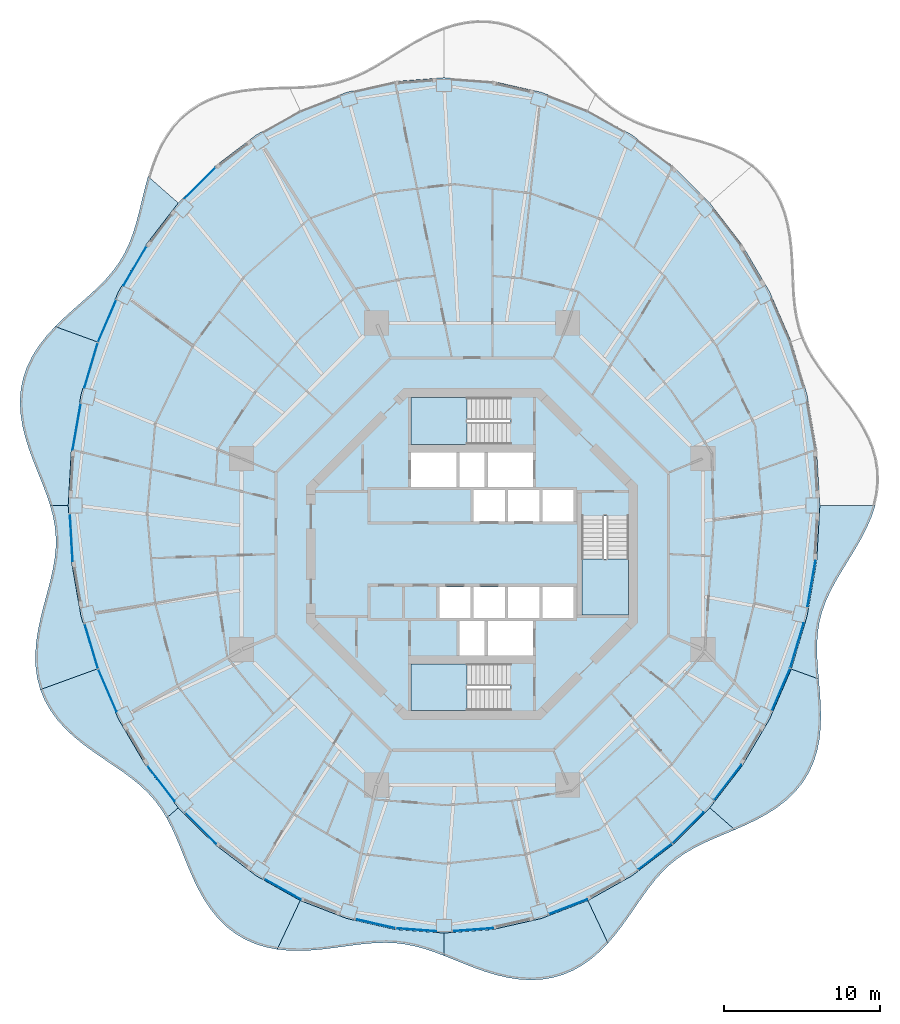
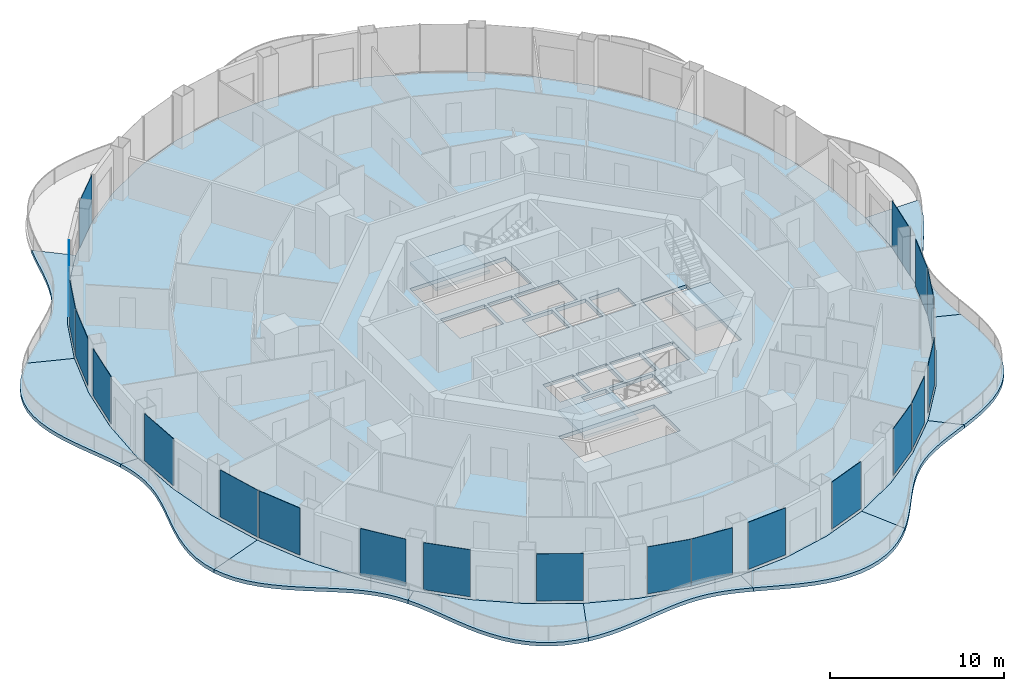
# One storey, part 8 of 18: 21 plates, 14 slabs, 24 elements without a shape of their own.
"""IFC4 building model written with IfcOpenShell, lengths in metres."""

from ifc_helpers import new_model, si_unit, direction, frame, origin, origin_2d, place, context, subcontext, project, spatial, polyline, rectangle, outline, extrude, material, layer, layer_set, type_object, element, aggregate, save


model = new_model("IFC4")

# Units and contexts
model_context = context("Model", 3, precision=1e-05, world=origin(), true_north=direction((0.0, 1.0)))
body_context = subcontext(model_context, "Body", "Model", "MODEL_VIEW")
ifc_project = project(units=[si_unit("LENGTHUNIT", "METRE"), si_unit("AREAUNIT", "SQUARE_METRE"), si_unit("VOLUMEUNIT", "CUBIC_METRE"), si_unit("PLANEANGLEUNIT", "RADIAN"), si_unit("MASSUNIT", "GRAM", prefix="KILO")], contexts=[model_context])

# Site, building, storey
site_placement = place(None, origin())
site = spatial("IfcSite", under=ifc_project, at=site_placement, CompositionType="ELEMENT")
building_placement = place(site_placement, origin())
building = spatial("IfcBuilding", under=site, at=building_placement, Name="Nagisa Residences", CompositionType="ELEMENT")
storey_placement = place(building_placement, frame((0.0, 0.0, 238.10009765625)))
storey = spatial("IfcBuildingStorey", under=building, at=storey_placement, Name="L60", CompositionType="ELEMENT", Elevation=238.10009765625)

# Slabs
ifc_material_1 = material(Name="Concrete C40/50", Category="concrete")
ifc_layer_1 = layer(ifc_material_1, 0.25)
ifc_layer_set_1 = layer_set([ifc_layer_1], Name="BALCONY SLAB 250")
slab_type_1 = type_object("IfcSlabType", Name="BALCONY SLAB 250", PredefinedType="FLOOR", material=ifc_layer_set_1)
slab_1_placement = place(storey_placement, frame((0.0, 0.0, -0.25)))
element("IfcSlab", 1, at=slab_1_placement, inside=storey, type_object=slab_type_1, Name="slab:L60:bal06", PredefinedType="FLOOR", context=body_context, shape_type="SweptSolid", body=[
    extrude(outline(polyline([(-20.75390625, 24.184814453125), (-20.957275390625, 23.42724609375), (-21.140625, 22.67578125), (-21.318603515625, 21.940185546875), (-21.50537109375, 21.2294921875), (-21.714599609375, 20.5498046875), (-21.957763671875, 19.904296875), (-22.244384765625, 19.294189453125), (-22.581298828125, 18.717529296875), (-22.97119140625, 18.170654296875), (-23.413330078125, 17.647216796875), (-23.90380859375, 17.140380859375), (-24.43408203125, 16.641845703125), (-24.99365234375, 16.143310546875), (-25.56884765625, 15.63623046875), (-26.143798828125, 15.11376953125), (-26.702392578125, 14.5693359375), (-24.037841796875, 13.599365234375), (-22.645263671875, 16.812744140625), (-20.89599609375, 19.791748046875), (-18.820068359375, 22.4853515625), (-20.75390625, 24.184814453125)])), origin(), (0.0, 0.0, 1.0), 0.25),
])
slab_2_placement = place(storey_placement, frame((0.0, 0.0, -0.25)))
element("IfcSlab", 2, at=slab_2_placement, inside=storey, type_object=slab_type_1, Name="slab:L60:bal07", PredefinedType="FLOOR", context=body_context, shape_type="SweptSolid", body=[
    extrude(outline(polyline([(-26.702392578125, 14.5693359375), (-27.24365234375, 13.979736328125), (-27.732177734375, 13.358642578125), (-28.15234375, 12.705322265625), (-28.49169921875, 12.020751953125), (-28.740966796875, 11.3076171875), (-28.8955078125, 10.571044921875), (-28.954833984375, 9.816162109375), (-28.923095703125, 9.0498046875), (-28.808837890625, 8.2783203125), (-28.62451171875, 7.5078125), (-28.3857421875, 6.743896484375), (-28.1103515625, 5.99072265625), (-27.817626953125, 5.251220703125), (-27.526611328125, 4.5263671875), (-27.256103515625, 3.81591796875), (-27.02197265625, 3.11767578125), (-25.8701171875, 3.11767578125), (-25.6640625, 6.69287109375), (-25.0498046875, 10.206787109375), (-24.037841796875, 13.599365234375), (-26.702392578125, 14.5693359375)])), origin(), (0.0, 0.0, 1.0), 0.25),
])
slab_3_placement = place(storey_placement, frame((0.0, 0.0, -0.25)))
element("IfcSlab", 3, at=slab_3_placement, inside=storey, type_object=slab_type_1, Name="slab:L60:bal08", PredefinedType="FLOOR", context=body_context, shape_type="SweptSolid", body=[
    extrude(outline(polyline([(-27.02197265625, 3.11767578125), (-26.838134765625, 2.428466796875), (-26.71435546875, 1.743896484375), (-26.656005859375, 1.05908203125), (-26.6640625, 0.369140625), (-26.734619140625, -0.33056640625), (-26.85986328125, -1.04345703125), (-27.027587890625, -1.7724609375), (-27.22265625, -2.5185546875), (-27.42724609375, -3.28076171875), (-27.623046875, -4.056640625), (-27.79052734375, -4.842041015625), (-27.91162109375, -5.631103515625), (-27.969970703125, -6.4169921875), (-27.952392578125, -7.1923828125), (-27.848876953125, -7.94921875), (-27.65380859375, -8.68017578125), (-24.037841796875, -7.364013671875), (-25.0498046875, -3.971435546875), (-25.6640625, -0.45751953125), (-25.8701171875, 3.11767578125), (-27.02197265625, 3.11767578125)])), origin(), (0.0, 0.0, 1.0), 0.25),
])
slab_4_placement = place(storey_placement, frame((0.0, 0.0, -0.25)))
element("IfcSlab", 4, at=slab_4_placement, inside=storey, type_object=slab_type_1, Name="slab:L60:bal09", PredefinedType="FLOOR", context=body_context, shape_type="SweptSolid", body=[
    extrude(outline(polyline([(-27.65380859375, -8.68017578125), (-27.3759765625, -9.357666015625), (-27.013916015625, -10.000244140625), (-26.57373046875, -10.6044921875), (-26.0654296875, -11.169921875), (-25.50146484375, -11.697021484375), (-24.896728515625, -12.189697265625), (-24.2666015625, -12.65283203125), (-23.627197265625, -13.093505859375), (-22.993896484375, -13.5205078125), (-22.38037109375, -13.943359375), (-21.798583984375, -14.371826171875), (-21.257568359375, -14.816162109375), (-20.7626953125, -15.28466796875), (-20.31640625, -15.78515625), (-19.91748046875, -16.322998046875), (-19.560791015625, -16.90087890625), (-18.820068359375, -16.25), (-20.89599609375, -13.556396484375), (-22.645263671875, -10.577392578125), (-24.037841796875, -7.364013671875), (-27.65380859375, -8.68017578125)])), origin(), (0.0, 0.0, 1.0), 0.25),
])
slab_5_placement = place(storey_placement, frame((0.0, 0.0, -0.25)))
element("IfcSlab", 5, at=slab_5_placement, inside=storey, type_object=slab_type_1, Name="slab:L60:bal10", PredefinedType="FLOOR", context=body_context, shape_type="SweptSolid", body=[
    extrude(outline(polyline([(-19.560791015625, -16.90087890625), (-19.253662109375, -17.489501953125), (-18.969482421875, -18.112060546875), (-18.697998046875, -18.763916015625), (-18.428466796875, -19.437744140625), (-18.149169921875, -20.124267578125), (-17.849365234375, -20.8125), (-17.51904296875, -21.490234375), (-17.149658203125, -22.144775390625), (-16.734619140625, -22.763671875), (-16.26953125, -23.334228515625), (-15.752685546875, -23.846435546875), (-15.1845703125, -24.291259765625), (-14.568115234375, -24.66259765625), (-13.907958984375, -24.956787109375), (-13.211181640625, -25.17333984375), (-12.485595703125, -25.3154296875), (-11.01123046875, -22.187255859375), (-13.8349609375, -20.602783203125), (-16.452880859375, -18.6123046875), (-18.820068359375, -16.25), (-19.560791015625, -16.90087890625)])), origin(), (0.0, 0.0, 1.0), 0.25),
])
slab_6_placement = place(storey_placement, frame((0.0, 0.0, -0.25)))
element("IfcSlab", 6, at=slab_6_placement, inside=storey, type_object=slab_type_1, Name="slab:L60:bal11", PredefinedType="FLOOR", context=body_context, shape_type="SweptSolid", body=[
    extrude(outline(polyline([(-12.485595703125, -25.3154296875), (-11.76708984375, -25.386962890625), (-11.037841796875, -25.40234375), (-10.305419921875, -25.371337890625), (-9.576904296875, -25.305419921875), (-8.85791015625, -25.21728515625), (-8.1533203125, -25.1201171875), (-7.465576171875, -25.027099609375), (-6.796142578125, -24.9501953125), (-6.14453125, -24.900390625), (-5.509033203125, -24.886474609375), (-4.885986328125, -24.9150390625), (-4.271240234375, -24.98974609375), (-3.660400390625, -25.111328125), (-3.048095703125, -25.27734375), (-2.42919921875, -25.48291015625), (-1.800048828125, -25.719482421875), (-1.800048828125, -24.272216796875), (-4.941650390625, -24.0380859375), (-8.02978515625, -23.339111328125), (-11.01123046875, -22.187255859375), (-12.485595703125, -25.3154296875)])), origin(), (0.0, 0.0, 1.0), 0.25),
])
slab_7_placement = place(storey_placement, frame((0.0, 0.0, -0.25)))
element("IfcSlab", 7, at=slab_7_placement, inside=storey, type_object=slab_type_1, Name="slab:L60:bal12", PredefinedType="FLOOR", context=body_context, shape_type="SweptSolid", body=[
    extrude(outline(polyline([(-1.800048828125, -25.719482421875), (-1.15673828125, -25.977294921875), (-0.49755859375, -26.243896484375), (0.17822265625, -26.505859375), (0.869873046875, -26.749267578125), (1.574951171875, -26.96044921875), (2.289306640625, -27.126220703125), (3.00830078125, -27.234619140625), (3.7255859375, -27.2763671875), (4.434814453125, -27.24365234375), (5.12939453125, -27.132080078125), (5.802734375, -26.940185546875), (6.448974609375, -26.6689453125), (7.064208984375, -26.322998046875), (7.64453125, -25.9091796875), (8.188720703125, -25.4365234375), (8.697265625, -24.916015625), (7.4111328125, -22.187255859375), (4.4296875, -23.339111328125), (1.341796875, -24.0380859375), (-1.800048828125, -24.272216796875), (-1.800048828125, -25.719482421875)])), origin(), (0.0, 0.0, 1.0), 0.25),
])
slab_8_placement = place(storey_placement, frame((0.0, 0.0, -0.25)))
element("IfcSlab", 8, at=slab_8_placement, inside=storey, type_object=slab_type_1, Name="slab:L60:bal13", PredefinedType="FLOOR", context=body_context, shape_type="SweptSolid", body=[
    extrude(outline(polyline([(8.697265625, -24.916015625), (9.189453125, -24.33837890625), (9.64990234375, -23.737060546875), (10.0849609375, -23.126220703125), (10.50244140625, -22.51953125), (10.9111328125, -21.929443359375), (11.320556640625, -21.3662109375), (11.739990234375, -20.838134765625), (12.17822265625, -20.3505859375), (12.642822265625, -19.905517578125), (13.13916015625, -19.5029296875), (13.671142578125, -19.1396484375), (14.239990234375, -18.809814453125), (14.843994140625, -18.505859375), (15.479736328125, -18.21875), (16.14013671875, -17.93798828125), (16.816650390625, -17.653076171875), (15.219970703125, -16.25), (12.852783203125, -18.6123046875), (10.235107421875, -20.602783203125), (7.4111328125, -22.187255859375), (8.697265625, -24.916015625)])), origin(), (0.0, 0.0, 1.0), 0.25),
])
slab_9_placement = place(storey_placement, frame((0.0, 0.0, -0.25)))
element("IfcSlab", 9, at=slab_9_placement, inside=storey, type_object=slab_type_1, Name="slab:L60:bal14", PredefinedType="FLOOR", context=body_context, shape_type="SweptSolid", body=[
    extrude(outline(polyline([(16.816650390625, -17.653076171875), (17.5322265625, -17.33837890625), (18.240234375, -16.996337890625), (18.926025390625, -16.61767578125), (19.5751953125, -16.1943359375), (20.173828125, -15.72119140625), (20.710205078125, -15.19580078125), (21.1748046875, -14.617919921875), (21.56103515625, -13.989990234375), (21.865478515625, -13.316650390625), (22.0888671875, -12.60498046875), (22.235595703125, -11.86279296875), (22.3134765625, -11.0986328125), (22.333251953125, -10.322265625), (22.308837890625, -9.5419921875), (22.25537109375, -8.76611328125), (22.189697265625, -8.001708984375), (20.437744140625, -7.364013671875), (19.045166015625, -10.577392578125), (17.2958984375, -13.556396484375), (15.219970703125, -16.25), (16.816650390625, -17.653076171875)])), origin(), (0.0, 0.0, 1.0), 0.25),
])
slab_10_placement = place(storey_placement, frame((0.0, 0.0, -0.25)))
element("IfcSlab", 10, at=slab_10_placement, inside=storey, type_object=slab_type_1, Name="slab:L60:bal15", PredefinedType="FLOOR", context=body_context, shape_type="SweptSolid", body=[
    extrude(outline(polyline([(22.189697265625, -8.001708984375), (22.12646484375, -7.23046875), (22.08544921875, -6.480712890625), (22.08154296875, -5.754150390625), (22.1279296875, -5.050537109375), (22.233154296875, -4.367431640625), (22.402587890625, -3.701171875), (22.636474609375, -3.046630859375), (22.93017578125, -2.39794921875), (23.275634765625, -1.74951171875), (23.660400390625, -1.095458984375), (24.06884765625, -0.43115234375), (24.48291015625, 0.246826171875), (24.883544921875, 0.941162109375), (25.251708984375, 1.652099609375), (25.568603515625, 2.37841796875), (25.81787109375, 3.11767578125), (22.27001953125, 3.11767578125), (22.06396484375, -0.45751953125), (21.449951171875, -3.971435546875), (20.437744140625, -7.364013671875), (22.189697265625, -8.001708984375)])), origin(), (0.0, 0.0, 1.0), 0.25),
])

# Curtain wall, plate
ifc_material_2 = material(Name="Concrete-coloured aluminium curtain wall system", Category="concrete")
ifc_layer_2 = layer(ifc_material_2, 0.159912109375)
ifc_layer_set_2 = layer_set([ifc_layer_2], Name="CW1 CURTAIN WALL")
curtain_wall_type = type_object("IfcCurtainWallType", Name="CW1 CURTAIN WALL", PredefinedType="NOTDEFINED", material=ifc_layer_set_2)
curtain_wall_1_placement = place(storey_placement, origin())
curtain_wall_1 = element("IfcCurtainWall", 11, at=curtain_wall_1_placement, inside=storey, type_object=curtain_wall_type, Name="cw:CW1:L60:17", PredefinedType="NOTDEFINED")
ifc_material_3 = material(Name="Clear laminated glass", Category="glass")
ifc_layer_3 = layer(ifc_material_3, 0.028076171875)
ifc_layer_set_3 = layer_set([ifc_layer_3], Name="CW1 GLASS PANEL")
plate_type = type_object("IfcPlateType", Name="CW1 GLASS PANEL", PredefinedType="CURTAIN_PANEL", material=ifc_layer_set_3)
plate_1_placement = place(storey_placement, frame((-17.42431640625, 23.765380859375, 0.14990234375), z_axis=(0.0, 0.0, 1.0), x_axis=(-0.707835924016, -0.706376885714, 0.0)))
plate_1 = element("IfcPlate", 12, at=plate_1_placement, type_object=plate_type, Name="CW1 panel", PredefinedType="CURTAIN_PANEL", context=body_context, shape_type="SweptSolid", body=[
    extrude(rectangle(XDim=2.7841796875, YDim=0.028076171875, at=origin_2d()), origin(), (0.0, 0.0, 1.0), 3.2900390625),
])
aggregate(curtain_wall_1, [plate_1])

curtain_wall_2_placement = place(storey_placement, origin())
curtain_wall_2 = element("IfcCurtainWall", 13, at=curtain_wall_2_placement, inside=storey, type_object=curtain_wall_type, Name="cw:CW1:L60:19", PredefinedType="NOTDEFINED")
plate_2_placement = place(storey_placement, frame((-21.59033203125, 18.451416015625, 0.14990234375), z_axis=(0.0, 0.0, 1.0), x_axis=(-0.506348567002, -0.862328898214, 0.0)))
plate_2 = element("IfcPlate", 14, at=plate_2_placement, type_object=plate_type, Name="CW1 panel", PredefinedType="CURTAIN_PANEL", context=body_context, shape_type="SweptSolid", body=[
    extrude(rectangle(XDim=2.89453125, YDim=0.028076171875, at=origin_2d()), origin(), (0.0, 0.0, 1.0), 3.2900390625),
])
aggregate(curtain_wall_2, [plate_2])

curtain_wall_3_placement = place(storey_placement, origin())
curtain_wall_3 = element("IfcCurtainWall", 15, at=curtain_wall_3_placement, inside=storey, type_object=curtain_wall_type, Name="cw:CW1:L60:20", PredefinedType="NOTDEFINED")
plate_3_placement = place(storey_placement, frame((-23.37939453125, 14.917236328125, 0.14990234375), z_axis=(0.0, 0.0, 1.0), x_axis=(-0.397635934147, -0.917543276295, 0.0)))
plate_3 = element("IfcPlate", 16, at=plate_3_placement, type_object=plate_type, Name="CW1 panel", PredefinedType="CURTAIN_PANEL", context=body_context, shape_type="SweptSolid", body=[
    extrude(rectangle(XDim=2.942138671875, YDim=0.028076171875, at=origin_2d()), origin(), (0.0, 0.0, 1.0), 3.2900390625),
])
aggregate(curtain_wall_3, [plate_3])

curtain_wall_4_placement = place(storey_placement, origin())
curtain_wall_4 = element("IfcCurtainWall", 17, at=curtain_wall_4_placement, inside=storey, type_object=curtain_wall_type, Name="cw:CW1:L60:21", PredefinedType="NOTDEFINED")
plate_4_placement = place(storey_placement, frame((-24.404296875, 12.091064453125, 0.14990234375), z_axis=(0.0, 0.0, 1.0), x_axis=(-0.285860274038, -0.958271310082, 0.0)))
plate_4 = element("IfcPlate", 18, at=plate_4_placement, type_object=plate_type, Name="CW1 panel", PredefinedType="CURTAIN_PANEL", context=body_context, shape_type="SweptSolid", body=[
    extrude(rectangle(XDim=2.98046875, YDim=0.028076171875, at=origin_2d()), origin(), (0.0, 0.0, 1.0), 3.2900390625),
])
aggregate(curtain_wall_4, [plate_4])

curtain_wall_5_placement = place(storey_placement, origin())
curtain_wall_5 = element("IfcCurtainWall", 19, at=curtain_wall_5_placement, inside=storey, type_object=curtain_wall_type, Name="cw:CW1:L60:22", PredefinedType="NOTDEFINED")
plate_5_placement = place(storey_placement, frame((-25.326416015625, 8.16015625, 0.14990234375), z_axis=(0.0, 0.0, 1.0), x_axis=(-0.172190868898, -0.985063604377, 0.0)))
plate_5 = element("IfcPlate", 20, at=plate_5_placement, type_object=plate_type, Name="CW1 panel", PredefinedType="CURTAIN_PANEL", context=body_context, shape_type="SweptSolid", body=[
    extrude(rectangle(XDim=3.00732421875, YDim=0.028076171875, at=origin_2d()), origin(), (0.0, 0.0, 1.0), 3.2900390625),
])
aggregate(curtain_wall_5, [plate_5])

curtain_wall_6_placement = place(storey_placement, origin())
curtain_wall_6 = element("IfcCurtainWall", 21, at=curtain_wall_6_placement, inside=storey, type_object=curtain_wall_type, Name="cw:CW1:L60:24", PredefinedType="NOTDEFINED")
plate_6_placement = place(storey_placement, frame((-25.671142578125, 1.05517578125, 0.14990234375), z_axis=(0.0, 0.0, 1.0), x_axis=(0.057503492216, -0.998345305184, 0.0)))
plate_6 = element("IfcPlate", 22, at=plate_6_placement, type_object=plate_type, Name="CW1 panel", PredefinedType="CURTAIN_PANEL", context=body_context, shape_type="SweptSolid", body=[
    extrude(rectangle(XDim=3.02099609375, YDim=0.028076171875, at=origin_2d()), origin(), (0.0, 0.0, 1.0), 3.2900390625),
])
aggregate(curtain_wall_6, [plate_6])

curtain_wall_7_placement = place(storey_placement, origin())
curtain_wall_7 = element("IfcCurtainWall", 23, at=curtain_wall_7_placement, inside=storey, type_object=curtain_wall_type, Name="cw:CW1:L60:26", PredefinedType="NOTDEFINED")
plate_7_placement = place(storey_placement, frame((-24.38720703125, -5.9130859375, 0.14990234375), z_axis=(0.0, 0.0, 1.0), x_axis=(0.285860274038, -0.958271310082, 0.0)))
plate_7 = element("IfcPlate", 24, at=plate_7_placement, type_object=plate_type, Name="CW1 panel", PredefinedType="CURTAIN_PANEL", context=body_context, shape_type="SweptSolid", body=[
    extrude(rectangle(XDim=2.98046875, YDim=0.028076171875, at=origin_2d()), origin(), (0.0, 0.0, 1.0), 3.2900390625),
])
aggregate(curtain_wall_7, [plate_7])

curtain_wall_8_placement = place(storey_placement, origin())
curtain_wall_8 = element("IfcCurtainWall", 25, at=curtain_wall_8_placement, inside=storey, type_object=curtain_wall_type, Name="cw:CW1:L60:27", PredefinedType="NOTDEFINED")
plate_8_placement = place(storey_placement, frame((-23.35546875, -8.737060546875, 0.14990234375), z_axis=(0.0, 0.0, 1.0), x_axis=(0.397635934147, -0.917543276295, 0.0)))
plate_8 = element("IfcPlate", 26, at=plate_8_placement, type_object=plate_type, Name="CW1 panel", PredefinedType="CURTAIN_PANEL", context=body_context, shape_type="SweptSolid", body=[
    extrude(rectangle(XDim=2.942138671875, YDim=0.028076171875, at=origin_2d()), origin(), (0.0, 0.0, 1.0), 3.2900390625),
])
aggregate(curtain_wall_8, [plate_8])

curtain_wall_9_placement = place(storey_placement, origin())
curtain_wall_9 = element("IfcCurtainWall", 27, at=curtain_wall_9_placement, inside=storey, type_object=curtain_wall_type, Name="cw:CW1:L60:29", PredefinedType="NOTDEFINED")
plate_9_placement = place(storey_placement, frame((-19.928955078125, -14.679931640625, 0.14990234375), z_axis=(0.0, 0.0, 1.0), x_axis=(0.610429828235, -0.792070340816, 0.0)))
plate_9 = element("IfcPlate", 28, at=plate_9_placement, type_object=plate_type, Name="CW1 panel", PredefinedType="CURTAIN_PANEL", context=body_context, shape_type="SweptSolid", body=[
    extrude(rectangle(XDim=2.8408203125, YDim=0.028076171875, at=origin_2d()), origin(), (0.0, 0.0, 1.0), 3.2900390625),
])
aggregate(curtain_wall_9, [plate_9])

curtain_wall_10_placement = place(storey_placement, origin())
curtain_wall_10 = element("IfcCurtainWall", 29, at=curtain_wall_10_placement, inside=storey, type_object=curtain_wall_type, Name="cw:CW1:L60:30", PredefinedType="NOTDEFINED")
plate_10_placement = place(storey_placement, frame((-17.3818359375, -17.572265625, 0.14990234375), z_axis=(0.0, 0.0, 1.0), x_axis=(0.707835924016, -0.706376885714, 0.0)))
plate_10 = element("IfcPlate", 30, at=plate_10_placement, type_object=plate_type, Name="CW1 panel", PredefinedType="CURTAIN_PANEL", context=body_context, shape_type="SweptSolid", body=[
    extrude(rectangle(XDim=2.7841796875, YDim=0.028076171875, at=origin_2d()), origin(), (0.0, 0.0, 1.0), 3.2900390625),
])
aggregate(curtain_wall_10, [plate_10])

curtain_wall_11_placement = place(storey_placement, origin())
curtain_wall_11 = element("IfcCurtainWall", 31, at=curtain_wall_11_placement, inside=storey, type_object=curtain_wall_type, Name="cw:CW1:L60:32", PredefinedType="NOTDEFINED")
plate_11_placement = place(storey_placement, frame((-12.1396484375, -21.46240234375, 0.14990234375), z_axis=(0.0, 0.0, 1.0), x_axis=(0.872072377523, -0.489376918501, 0.0)))
plate_11 = element("IfcPlate", 32, at=plate_11_placement, type_object=plate_type, Name="CW1 panel", PredefinedType="CURTAIN_PANEL", context=body_context, shape_type="SweptSolid", body=[
    extrude(rectangle(XDim=2.677978515625, YDim=0.028076171875, at=origin_2d()), origin(), (0.0, 0.0, 1.0), 3.2900390625),
])
aggregate(curtain_wall_11, [plate_11])

curtain_wall_12_placement = place(storey_placement, origin())
curtain_wall_12 = element("IfcCurtainWall", 33, at=curtain_wall_12_placement, inside=storey, type_object=curtain_wall_type, Name="cw:CW1:L60:34", PredefinedType="NOTDEFINED")
plate_12_placement = place(storey_placement, frame((-6.195068359375, -23.67236328125, 0.14990234375), z_axis=(0.0, 0.0, 1.0), x_axis=(0.975327274089, -0.2207639201, 0.0)))
plate_12 = element("IfcPlate", 34, at=plate_12_placement, type_object=plate_type, Name="CW1 panel", PredefinedType="CURTAIN_PANEL", context=body_context, shape_type="SweptSolid", body=[
    extrude(rectangle(XDim=2.606201171875, YDim=0.028076171875, at=origin_2d()), origin(), (0.0, 0.0, 1.0), 3.2900390625),
])
aggregate(curtain_wall_12, [plate_12])

curtain_wall_13_placement = place(storey_placement, origin())
curtain_wall_13 = element("IfcCurtainWall", 35, at=curtain_wall_13_placement, inside=storey, type_object=curtain_wall_type, Name="cw:CW1:L60:35", PredefinedType="NOTDEFINED")
plate_13_placement = place(storey_placement, frame((-3.584228515625, -24.05908203125, 0.14990234375), z_axis=(0.0, 0.0, 1.0), x_axis=(0.997230168512, -0.074377355493, 0.0)))
plate_13 = element("IfcPlate", 36, at=plate_13_placement, type_object=plate_type, Name="CW1 panel", PredefinedType="CURTAIN_PANEL", context=body_context, shape_type="SweptSolid", body=[
    extrude(rectangle(XDim=2.590576171875, YDim=0.028076171875, at=origin_2d()), origin(), (0.0, 0.0, 1.0), 3.2900390625),
])
aggregate(curtain_wall_13, [plate_13])

curtain_wall_14_placement = place(storey_placement, origin())
curtain_wall_14 = element("IfcCurtainWall", 37, at=curtain_wall_14_placement, inside=storey, type_object=curtain_wall_type, Name="cw:CW1:L60:36", PredefinedType="NOTDEFINED")
plate_14_placement = place(storey_placement, frame((0.044189453125, -24.054443359375, 0.14990234375), z_axis=(0.0, 0.0, 1.0), x_axis=(0.997230168512, 0.074377355493, 0.0)))
plate_14 = element("IfcPlate", 38, at=plate_14_placement, type_object=plate_type, Name="CW1 panel", PredefinedType="CURTAIN_PANEL", context=body_context, shape_type="SweptSolid", body=[
    extrude(rectangle(XDim=2.590576171875, YDim=0.028076171875, at=origin_2d()), origin(), (0.0, 0.0, 1.0), 3.2900390625),
])
aggregate(curtain_wall_14, [plate_14])

curtain_wall_15_placement = place(storey_placement, origin())
curtain_wall_15 = element("IfcCurtainWall", 39, at=curtain_wall_15_placement, inside=storey, type_object=curtain_wall_type, Name="cw:CW1:L60:38", PredefinedType="NOTDEFINED")
plate_15_placement = place(storey_placement, frame((6.15283203125, -22.587646484375, 0.14990234375), z_axis=(0.0, 0.0, 1.0), x_axis=(0.932825759707, 0.360327770268, 0.0)))
plate_15 = element("IfcPlate", 40, at=plate_15_placement, type_object=plate_type, Name="CW1 panel", PredefinedType="CURTAIN_PANEL", context=body_context, shape_type="SweptSolid", body=[
    extrude(rectangle(XDim=2.63623046875, YDim=0.028076171875, at=origin_2d()), origin(), (0.0, 0.0, 1.0), 3.2900390625),
])
aggregate(curtain_wall_15, [plate_15])

curtain_wall_16_placement = place(storey_placement, origin())
curtain_wall_16 = element("IfcCurtainWall", 41, at=curtain_wall_16_placement, inside=storey, type_object=curtain_wall_type, Name="cw:CW1:L60:40", PredefinedType="NOTDEFINED")
plate_16_placement = place(storey_placement, frame((11.718505859375, -19.374267578125, 0.14990234375), z_axis=(0.0, 0.0, 1.0), x_axis=(0.79603132756, 0.605255421737, 0.0)))
plate_16 = element("IfcPlate", 42, at=plate_16_placement, type_object=plate_type, Name="CW1 panel", PredefinedType="CURTAIN_PANEL", context=body_context, shape_type="SweptSolid", body=[
    extrude(rectangle(XDim=2.728759765625, YDim=0.028076171875, at=origin_2d()), origin(), (0.0, 0.0, 1.0), 3.2900390625),
])
aggregate(curtain_wall_16, [plate_16])

curtain_wall_17_placement = place(storey_placement, origin())
curtain_wall_17 = element("IfcCurtainWall", 43, at=curtain_wall_17_placement, inside=storey, type_object=curtain_wall_type, Name="cw:CW1:L60:41", PredefinedType="NOTDEFINED")
plate_17_placement = place(storey_placement, frame((13.82421875, -17.52978515625, 0.14990234375), z_axis=(0.0, 0.0, 1.0), x_axis=(0.707835924016, 0.706376885714, 0.0)))
plate_17 = element("IfcPlate", 44, at=plate_17_placement, type_object=plate_type, Name="CW1 panel", PredefinedType="CURTAIN_PANEL", context=body_context, shape_type="SweptSolid", body=[
    extrude(rectangle(XDim=2.7841796875, YDim=0.028076171875, at=origin_2d()), origin(), (0.0, 0.0, 1.0), 3.2900390625),
])
aggregate(curtain_wall_17, [plate_17])

curtain_wall_18_placement = place(storey_placement, origin())
curtain_wall_18 = element("IfcCurtainWall", 45, at=curtain_wall_18_placement, inside=storey, type_object=curtain_wall_type, Name="cw:CW1:L60:42", PredefinedType="NOTDEFINED")
plate_18_placement = place(storey_placement, frame((16.365478515625, -14.632568359375, 0.14990234375), z_axis=(0.0, 0.0, 1.0), x_axis=(0.610429828235, 0.792070340816, 0.0)))
plate_18 = element("IfcPlate", 46, at=plate_18_placement, type_object=plate_type, Name="CW1 panel", PredefinedType="CURTAIN_PANEL", context=body_context, shape_type="SweptSolid", body=[
    extrude(rectangle(XDim=2.8408203125, YDim=0.028076171875, at=origin_2d()), origin(), (0.0, 0.0, 1.0), 3.2900390625),
])
aggregate(curtain_wall_18, [plate_18])

curtain_wall_19_placement = place(storey_placement, origin())
curtain_wall_19 = element("IfcCurtainWall", 47, at=curtain_wall_19_placement, inside=storey, type_object=curtain_wall_type, Name="cw:CW1:L60:44", PredefinedType="NOTDEFINED")
plate_19_placement = place(storey_placement, frame((19.779541015625, -8.681884765625, 0.14990234375), z_axis=(0.0, 0.0, 1.0), x_axis=(0.397635934147, 0.917543276295, 0.0)))
plate_19 = element("IfcPlate", 48, at=plate_19_placement, type_object=plate_type, Name="CW1 panel", PredefinedType="CURTAIN_PANEL", context=body_context, shape_type="SweptSolid", body=[
    extrude(rectangle(XDim=2.942138671875, YDim=0.028076171875, at=origin_2d()), origin(), (0.0, 0.0, 1.0), 3.2900390625),
])
aggregate(curtain_wall_19, [plate_19])

curtain_wall_20_placement = place(storey_placement, origin())
curtain_wall_20 = element("IfcCurtainWall", 49, at=curtain_wall_20_placement, inside=storey, type_object=curtain_wall_type, Name="cw:CW1:L60:45", PredefinedType="NOTDEFINED")
plate_20_placement = place(storey_placement, frame((20.80419921875, -5.855712890625, 0.14990234375), z_axis=(0.0, 0.0, 1.0), x_axis=(0.285860274038, 0.958271310082, 0.0)))
plate_20 = element("IfcPlate", 50, at=plate_20_placement, type_object=plate_type, Name="CW1 panel", PredefinedType="CURTAIN_PANEL", context=body_context, shape_type="SweptSolid", body=[
    extrude(rectangle(XDim=2.98046875, YDim=0.028076171875, at=origin_2d()), origin(), (0.0, 0.0, 1.0), 3.2900390625),
])
aggregate(curtain_wall_20, [plate_20])

curtain_wall_21_placement = place(storey_placement, origin())
curtain_wall_21 = element("IfcCurtainWall", 51, at=curtain_wall_21_placement, inside=storey, type_object=curtain_wall_type, Name="cw:CW1:L60:46", PredefinedType="NOTDEFINED")
plate_21_placement = place(storey_placement, frame((21.726318359375, -1.9248046875, 0.14990234375), z_axis=(0.0, 0.0, 1.0), x_axis=(0.172190868898, 0.985063604377, 0.0)))
plate_21 = element("IfcPlate", 52, at=plate_21_placement, type_object=plate_type, Name="CW1 panel", PredefinedType="CURTAIN_PANEL", context=body_context, shape_type="SweptSolid", body=[
    extrude(rectangle(XDim=3.00732421875, YDim=0.028076171875, at=origin_2d()), origin(), (0.0, 0.0, 1.0), 3.2900390625),
])
aggregate(curtain_wall_21, [plate_21])

# Slab
ifc_material_4 = material(Name="Concrete C40", Category="concrete")
ifc_layer_4 = layer(ifc_material_4, 0.260009765625)
ifc_layer_set_4 = layer_set([ifc_layer_4], Name="Floor slab 260")
slab_type_2 = type_object("IfcSlabType", Name="Floor slab 260", PredefinedType="FLOOR", material=ifc_layer_set_4)
slab_11_placement = place(storey_placement, frame((0.0, 0.0, -0.260009765625)))
element("IfcSlab", 53, at=slab_11_placement, inside=storey, type_object=slab_type_2, Name="slab:L60:floor", PredefinedType="FLOOR", context=body_context, shape_type="SweptSolid", body=[
    extrude(outline(polyline([(22.27001953125, 3.11767578125), (22.06396484375, 6.69287109375), (21.449951171875, 10.206787109375), (20.437744140625, 13.599365234375), (19.045166015625, 16.812744140625), (17.2958984375, 19.791748046875), (15.219970703125, 22.4853515625), (12.852783203125, 24.84765625), (10.235107421875, 26.838134765625), (7.4111328125, 28.4228515625), (4.4296875, 29.574462890625), (1.341796875, 30.2734375), (-1.800048828125, 30.5078125), (-4.941650390625, 30.2734375), (-8.02978515625, 29.574462890625), (-11.01123046875, 28.4228515625), (-13.8349609375, 26.838134765625), (-16.452880859375, 24.84765625), (-18.820068359375, 22.4853515625), (-20.89599609375, 19.791748046875), (-22.645263671875, 16.812744140625), (-24.037841796875, 13.599365234375), (-25.0498046875, 10.206787109375), (-25.6640625, 6.69287109375), (-25.8701171875, 3.11767578125), (-25.6640625, -0.45751953125), (-25.0498046875, -3.971435546875), (-24.037841796875, -7.364013671875), (-22.645263671875, -10.577392578125), (-20.89599609375, -13.556396484375), (-18.820068359375, -16.25), (-16.452880859375, -18.6123046875), (-13.8349609375, -20.602783203125), (-11.01123046875, -22.187255859375), (-8.02978515625, -23.339111328125), (-4.941650390625, -24.0380859375), (-1.800048828125, -24.272216796875), (1.341796875, -24.0380859375), (4.4296875, -23.339111328125), (7.4111328125, -22.187255859375), (10.235107421875, -20.602783203125), (12.852783203125, -18.6123046875), (15.219970703125, -16.25), (17.2958984375, -13.556396484375), (19.045166015625, -10.577392578125), (20.437744140625, -7.364013671875), (21.449951171875, -3.971435546875), (22.06396484375, -0.45751953125), (22.27001953125, 3.11767578125)]), holes=[polyline([(2.10009765625, 2.10009765625), (2.10009765625, 4.10009765625), (0.10009765625, 4.10009765625), (0.10009765625, 2.10009765625), (2.10009765625, 2.10009765625)]), polyline([(4.300048828125, 2.10009765625), (4.300048828125, 4.10009765625), (2.300048828125, 4.10009765625), (2.300048828125, 2.10009765625), (4.300048828125, 2.10009765625)]), polyline([(6.5, 2.10009765625), (6.5, 4.10009765625), (4.5, 4.10009765625), (4.5, 2.10009765625), (6.5, 2.10009765625)]), polyline([(-0.10009765625, -4.10009765625), (-0.10009765625, -2.10009765625), (-2.10009765625, -2.10009765625), (-2.10009765625, -4.10009765625), (-0.10009765625, -4.10009765625)]), polyline([(2.10009765625, -4.10009765625), (2.10009765625, -2.10009765625), (0.10009765625, -2.10009765625), (0.10009765625, -4.10009765625), (2.10009765625, -4.10009765625)]), polyline([(4.300048828125, -4.10009765625), (4.300048828125, -2.10009765625), (2.300048828125, -2.10009765625), (2.300048828125, -4.10009765625), (4.300048828125, -4.10009765625)]), polyline([(6.5, -4.10009765625), (6.5, -2.10009765625), (4.5, -2.10009765625), (4.5, -4.10009765625), (6.5, -4.10009765625)]), polyline([(3.89990234375, 4.300048828125), (3.89990234375, 6.5), (1.0, 6.5), (1.0, 4.300048828125), (3.89990234375, 4.300048828125)]), polyline([(3.89990234375, -6.5), (3.89990234375, -4.300048828125), (1.0, -4.300048828125), (1.0, -6.5), (3.89990234375, -6.5)]), polyline([(-1.0, 4.300048828125), (-1.0, 6.5), (-3.89990234375, 6.5), (-3.89990234375, 4.300048828125), (-1.0, 4.300048828125)]), polyline([(0.800048828125, 4.300048828125), (0.800048828125, 6.5), (-0.800048828125, 6.5), (-0.800048828125, 4.300048828125), (0.800048828125, 4.300048828125)]), polyline([(0.800048828125, -6.5), (0.800048828125, -4.300048828125), (-0.800048828125, -4.300048828125), (-0.800048828125, -6.5), (0.800048828125, -6.5)]), polyline([(10.024658203125, -3.89990234375), (7.024658203125, -3.89990234375), (7.024658203125, 2.425048828125), (10.024658203125, 2.425048828125), (10.024658203125, -3.89990234375)]), polyline([(-3.89990234375, 7.024658203125), (-3.89990234375, 10.024658203125), (2.425048828125, 10.024658203125), (2.425048828125, 7.024658203125), (-3.89990234375, 7.024658203125)]), polyline([(-3.89990234375, -10.024658203125), (-3.89990234375, -7.024658203125), (2.425048828125, -7.024658203125), (2.425048828125, -10.024658203125), (-3.89990234375, -10.024658203125)])]), origin(), (0.0, 0.0, 1.0), 0.260009765625),
])

# Stair, slab
ifc_material_5 = material(Name="Concrete C60", Category="concrete")
stair_type = type_object("IfcStairType", Name="Exit stair", PredefinedType="HALF_TURN_STAIR", material=ifc_material_5)
stair_1_placement = place(storey_placement, origin())
stair_1 = element("IfcStair", 54, at=stair_1_placement, inside=storey, type_object=stair_type, Name="L60 Exit stair E", PredefinedType="HALF_TURN_STAIR")
ifc_material_6 = material(Name="Concrete C60", Category="concrete")
ifc_layer_5 = layer(ifc_material_6, 0.199951171875)
ifc_layer_set_5 = layer_set([ifc_layer_5], Name="Stair landing")
slab_type_3 = type_object("IfcSlabType", Name="Stair landing", PredefinedType="LANDING", material=ifc_layer_set_5)
slab_12_placement = place(storey_placement, frame((0.0, 0.0, 1.64990234375)))
slab_12 = element("IfcSlab", 55, at=slab_12_placement, type_object=slab_type_3, Name="ST-E landing 1", PredefinedType="LANDING", context=body_context, shape_type="SweptSolid", body=[
    extrude(outline(polyline([(7.024658203125, -0.324951171875), (7.024658203125, -3.89990234375), (10.024658203125, -3.89990234375), (10.024658203125, -0.324951171875), (7.024658203125, -0.324951171875)])), origin(), (0.0, 0.0, 1.0), 0.199951171875),
])
aggregate(stair_1, [slab_12])

stair_2_placement = place(storey_placement, origin())
stair_2 = element("IfcStair", 56, at=stair_2_placement, inside=storey, type_object=stair_type, Name="L60 Exit stair N", PredefinedType="HALF_TURN_STAIR")
slab_13_placement = place(storey_placement, frame((0.0, 0.0, 1.64990234375)))
slab_13 = element("IfcSlab", 57, at=slab_13_placement, type_object=slab_type_3, Name="ST-N landing 1", PredefinedType="LANDING", context=body_context, shape_type="SweptSolid", body=[
    extrude(outline(polyline([(-0.324951171875, 10.024658203125), (-3.89990234375, 10.024658203125), (-3.89990234375, 7.024658203125), (-0.324951171875, 7.024658203125), (-0.324951171875, 10.024658203125)])), origin(), (0.0, 0.0, 1.0), 0.199951171875),
])
aggregate(stair_2, [slab_13])

stair_3_placement = place(storey_placement, origin())
stair_3 = element("IfcStair", 58, at=stair_3_placement, inside=storey, type_object=stair_type, Name="L60 Exit stair S", PredefinedType="HALF_TURN_STAIR")
slab_14_placement = place(storey_placement, frame((0.0, 0.0, 1.64990234375)))
slab_14 = element("IfcSlab", 59, at=slab_14_placement, type_object=slab_type_3, Name="ST-S landing 1", PredefinedType="LANDING", context=body_context, shape_type="SweptSolid", body=[
    extrude(outline(polyline([(-0.324951171875, -7.024658203125), (-3.89990234375, -7.024658203125), (-3.89990234375, -10.024658203125), (-0.324951171875, -10.024658203125), (-0.324951171875, -7.024658203125)])), origin(), (0.0, 0.0, 1.0), 0.199951171875),
])
aggregate(stair_3, [slab_14])

save(model, "model.ifc")
